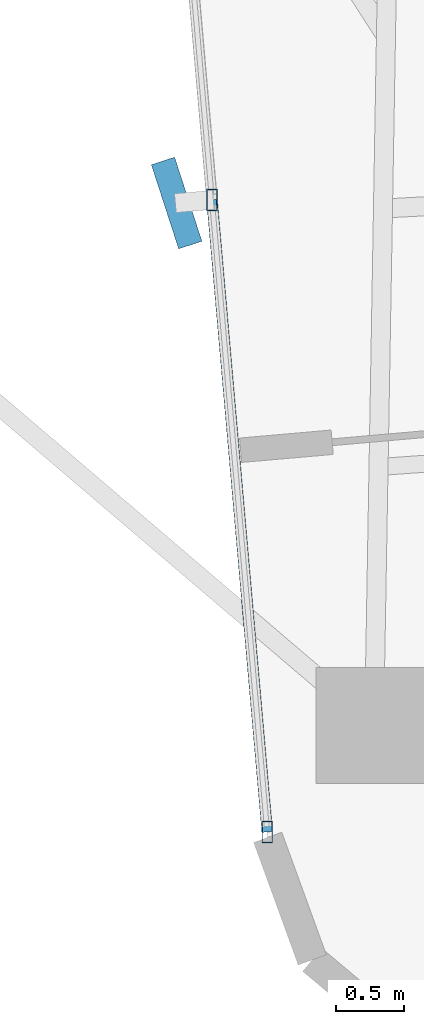
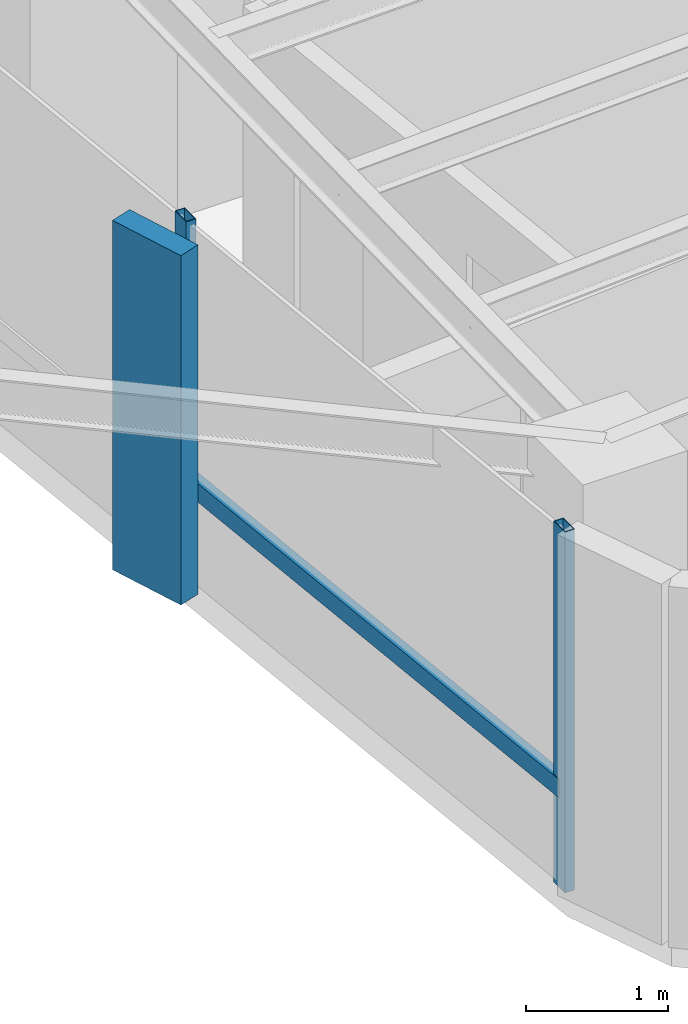
# One storey, part 2 of 24: 4 members, 1 element without a shape of its own.
"""IFC4 building model written with IfcOpenShell, lengths in metres."""

from ifc_helpers import new_model, si_unit, direction, frame, origin, origin_2d, place, context, subcontext, project, spatial, rectangle, hollow_rectangle, extrude, source, transform, mapped, material, material_profile, profile_set, type_object, element, aggregate, save


model = new_model("IFC4")

# Units and contexts
model_context = context("Model", 3, precision=1e-05, world=origin(), true_north=direction((0.0, 1.0)))
body_context = subcontext(model_context, "Body", "Model", "MODEL_VIEW")
ifc_project = project(units=[si_unit("LENGTHUNIT", "METRE"), si_unit("AREAUNIT", "SQUARE_METRE"), si_unit("VOLUMEUNIT", "CUBIC_METRE"), si_unit("PLANEANGLEUNIT", "RADIAN"), si_unit("MASSUNIT", "GRAM", prefix="KILO")], contexts=[model_context])

# Site, building, storey
site_placement = place(None, origin())
site = spatial("IfcSite", under=ifc_project, at=site_placement, CompositionType="ELEMENT")
building_placement = place(site_placement, origin())
building = spatial("IfcBuilding", under=site, at=building_placement, Name="Sahyath Konkavel Grand Hotel", CompositionType="ELEMENT")
storey_placement = place(building_placement, frame((0.0, 0.0, 195.300048828125)))
storey = spatial("IfcBuildingStorey", under=building, at=storey_placement, Name="L54", CompositionType="ELEMENT", Elevation=195.300048828125)

# Curtain wall, members
ifc_material_1 = material(Name="Anodised Bronze Aluminium & Low-E Glazing", Category="aluminium")
curtain_wall_type = type_object("IfcCurtainWallType", Name="CW-ZONE3", PredefinedType="NOTDEFINED", material=ifc_material_1)
curtain_wall_placement = place(storey_placement, origin())
curtain_wall = element("IfcCurtainWall", 1, at=curtain_wall_placement, inside=storey, type_object=curtain_wall_type, Name="L54 Unitised Curtain Wall F24", PredefinedType="NOTDEFINED")
ifc_material_2 = material(Name="Anodised Bronze Aluminium", Category="aluminium")
ifc_material_profile_1 = material_profile(ifc_material_2, hollow_rectangle(XDim=0.080078125, YDim=0.159912109375, WallThickness=0.006103515625, at=origin_2d()), Name="RHS 160x80x6")
ifc_profile_set_1 = profile_set([ifc_material_profile_1], Name="Anodised Bronze Aluminium")
member_type_1 = type_object("IfcMemberType", Name="CW-MUL-160", PredefinedType="MULLION", material=ifc_profile_set_1)
shared_shape_1 = source(origin(), body_context, "Body", "SweptSolid", [
    extrude(hollow_rectangle(XDim=0.080078125, YDim=0.159912109375, WallThickness=0.006103515625, at=origin_2d()), origin(), (0.0, 0.0, 1.0), 3.10986328125),
])
member_1_placement = place(storey_placement, frame((-5.12744140625, -14.251220703125, 0.0), z_axis=(0.0, 0.0, 1.0), x_axis=(1.0, 0.0, 0.0)))
member_1 = element("IfcMember", 2, at=member_1_placement, type_object=member_type_1, Name="L54 Curtain Wall Mullion F24-1", PredefinedType="MULLION", context=body_context, shape_type="MappedRepresentation", body=[
    mapped(shared_shape_1, transform((0.0, 0.0, 0.0), scale=1.0)),
])
member_2_placement = place(storey_placement, frame((-4.72119140625, -18.893310546875, 0.0), z_axis=(0.0, 0.0, 1.0), x_axis=(1.0, 0.0, 0.0)))
member_2 = element("IfcMember", 3, at=member_2_placement, type_object=member_type_1, Name="L54 Curtain Wall Mullion F24-2", PredefinedType="MULLION", context=body_context, shape_type="MappedRepresentation", body=[
    mapped(shared_shape_1, transform((0.0, 0.0, 0.0), scale=1.0)),
])
ifc_material_3 = material(Name="Warm Buff Sandstone Cladding on Concrete C50/60", Category="masonry")
ifc_material_profile_2 = material_profile(ifc_material_3, rectangle(XDim=0.179931640625, YDim=0.64990234375, at=origin_2d()), Name="FIN 180x650")
ifc_profile_set_2 = profile_set([ifc_material_profile_2], Name="Warm Buff Sandstone Cladding on Concrete C50/60")
member_type_2 = type_object("IfcMemberType", Name="FIN-SANDSTONE-650", PredefinedType="MULLION", material=ifc_profile_set_2)
shared_shape_2 = source(origin(), body_context, "Body", "SweptSolid", [
    extrude(rectangle(XDim=0.179931640625, YDim=0.64990234375, at=origin_2d()), origin(), (0.0, 0.0, 1.0), 3.010009765625),
])
member_3_placement = place(storey_placement, frame((-5.386474609375, -14.273681640625, 0.050048828125), z_axis=(0.0, 0.0, 1.0), x_axis=(0.951056516295, 0.309016994375, 0.0)))
member_3 = element("IfcMember", 4, at=member_3_placement, type_object=member_type_2, Name="L54 Sandstone Vertical Solar Fin FIN F24-1", PredefinedType="MULLION", context=body_context, shape_type="MappedRepresentation", body=[
    mapped(shared_shape_2, transform((0.0, 0.0, 0.0), scale=1.0)),
])
ifc_material_profile_3 = material_profile(ifc_material_2, hollow_rectangle(XDim=0.080078125, YDim=0.159912109375, WallThickness=0.006103515625, at=origin_2d()), Name="RHS 160x80x6")
ifc_profile_set_3 = profile_set([ifc_material_profile_3], Name="Anodised Bronze Aluminium")
member_type_3 = type_object("IfcMemberType", Name="CW-TRN-160", PredefinedType="USERDEFINED", material=ifc_profile_set_3)
shared_shape_3 = source(origin(), body_context, "Body", "SweptSolid", [
    extrude(hollow_rectangle(XDim=0.080078125, YDim=0.159912109375, WallThickness=0.006103515625, at=origin_2d()), origin(), (0.0, 0.0, 1.0), 4.659912109375),
])
member_4_placement = place(storey_placement, frame((-5.12744140625, -14.251220703125, 0.849853515625), z_axis=(0.087181248758, -0.996192466276, 0.0), x_axis=(0.996192466276, 0.087181248758, 0.0)))
member_4 = element("IfcMember", 5, at=member_4_placement, type_object=member_type_3, Name="L54 Curtain Wall Transom F24-1-spandrel", ObjectType="TRANSOM", PredefinedType="USERDEFINED", context=body_context, shape_type="MappedRepresentation", body=[
    mapped(shared_shape_3, transform((0.0, 0.0, 0.0), scale=1.0)),
])
aggregate(curtain_wall, [member_1, member_3, member_2, member_4])

save(model, "model.ifc")
